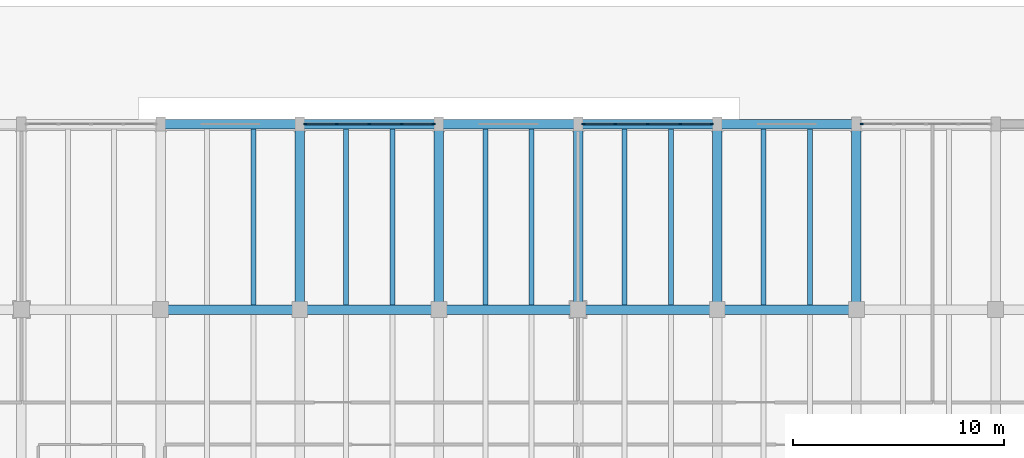
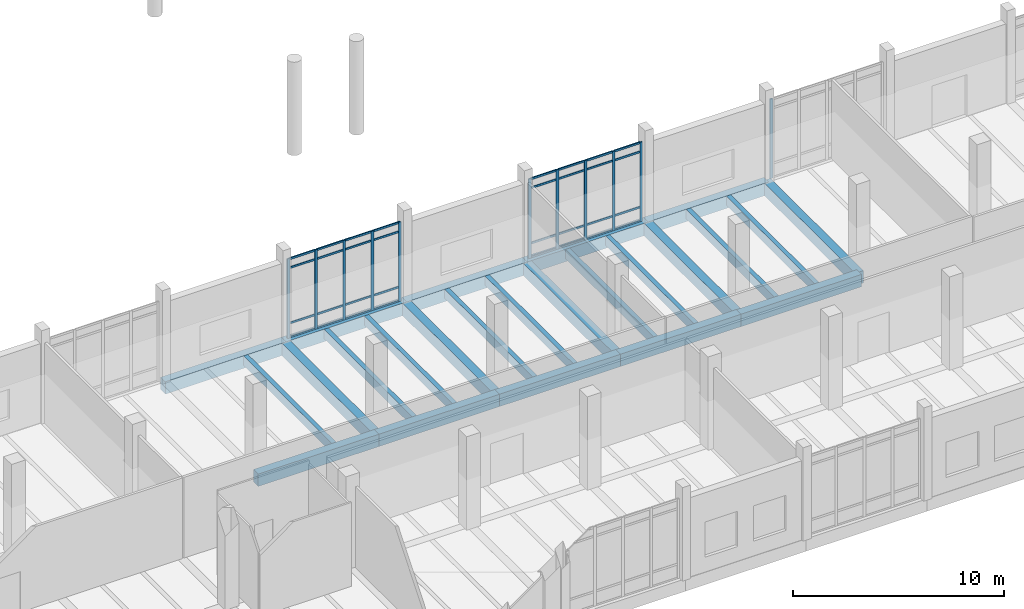
# One storey, part 24 of 72: 43 members, 24 beams, 3 elements without a shape of their own.
"""IFC4 building model written with IfcOpenShell, lengths in metres."""

from ifc_helpers import new_model, si_unit, direction, frame, origin, origin_2d, place, context, subcontext, project, spatial, rectangle, extrude, material, material_profile, profile_set, type_object, element, aggregate, save


model = new_model("IFC4")

# Units and contexts
model_context = context("Model", 3, precision=1e-05, world=origin(), true_north=direction((0.0, 1.0)))
body_context = subcontext(model_context, "Body", "Model", "MODEL_VIEW")
ifc_project = project(units=[si_unit("LENGTHUNIT", "METRE"), si_unit("AREAUNIT", "SQUARE_METRE"), si_unit("VOLUMEUNIT", "CUBIC_METRE"), si_unit("PLANEANGLEUNIT", "RADIAN"), si_unit("MASSUNIT", "GRAM", prefix="KILO")], contexts=[model_context])

# Site, building, storey
site_placement = place(None, origin())
site = spatial("IfcSite", under=ifc_project, at=site_placement, CompositionType="ELEMENT")
building_placement = place(site_placement, origin())
building = spatial("IfcBuilding", under=site, at=building_placement, Name="Dornvale Research Institute", CompositionType="ELEMENT")
storey_placement = place(building_placement, origin())
storey = spatial("IfcBuildingStorey", under=building, at=storey_placement, Name="L00", CompositionType="ELEMENT", Elevation=0.0)

# Beams
ifc_material_1 = material(Name="Concrete f'c 45 MPa (C35/45)", Category="concrete")
ifc_material_profile_1 = material_profile(ifc_material_1, rectangle(XDim=0.449951171875, YDim=0.715087890625, at=origin_2d()), Name="RC 450x715")
ifc_profile_set_1 = profile_set([ifc_material_profile_1], Name="Concrete f'c 45 MPa (C35/45)")
beam_type_1 = type_object("IfcBeamType", Name="Beam_RC450x715_Lab", PredefinedType="BEAM", material=ifc_profile_set_1)
for number, where, z_axis, x_axis, name in (
    (1, (125.39990234375, 17.60009765625, -0.357421875), (1.0, 0.0, 0.0), (0.0, 1.0, 0.0), "L00 primary girder #159"),
    (2, (132.0, 17.60009765625, -0.357421875), (1.0, 0.0, 0.0), (0.0, 1.0, 0.0), "L00 primary girder #160"),
):
    element("IfcBeam", number, at=place(storey_placement, frame(where, z_axis=z_axis, x_axis=x_axis)), inside=storey, type_object=beam_type_1, Name=name, PredefinedType="BEAM", context=body_context, shape_type="SweptSolid", body=[
        extrude(rectangle(XDim=0.449951171875, YDim=0.715087890625, at=origin_2d()), origin(), (0.0, 0.0, 1.0), 6.60009765625),
    ])
beam_1_placement = place(storey_placement, frame((138.60009765625, 17.60009765625, -0.357421875), z_axis=(1.0, 0.0, 0.0), x_axis=(0.0, 1.0, 0.0)))
element("IfcBeam", 3, at=beam_1_placement, inside=storey, type_object=beam_type_1, Name="L00 primary girder #161", PredefinedType="BEAM", context=body_context, shape_type="SweptSolid", body=[
    extrude(rectangle(XDim=0.449951171875, YDim=0.715087890625, at=origin_2d()), origin(), (0.0, 0.0, 1.0), 6.599853515625),
])
beam_2_placement = place(storey_placement, frame((145.199951171875, 17.60009765625, -0.357421875), z_axis=(1.0, 0.0, 0.0), x_axis=(0.0, 1.0, 0.0)))
element("IfcBeam", 4, at=beam_2_placement, inside=storey, type_object=beam_type_1, Name="L00 primary girder #162", PredefinedType="BEAM", context=body_context, shape_type="SweptSolid", body=[
    extrude(rectangle(XDim=0.449951171875, YDim=0.715087890625, at=origin_2d()), origin(), (0.0, 0.0, 1.0), 6.60009765625),
])
beam_3_placement = place(storey_placement, frame((151.800048828125, 17.60009765625, -0.357421875), z_axis=(1.0, 0.0, 0.0), x_axis=(0.0, 1.0, 0.0)))
element("IfcBeam", 5, at=beam_3_placement, inside=storey, type_object=beam_type_1, Name="L00 primary girder #163", PredefinedType="BEAM", context=body_context, shape_type="SweptSolid", body=[
    extrude(rectangle(XDim=0.449951171875, YDim=0.715087890625, at=origin_2d()), origin(), (0.0, 0.0, 1.0), 6.599853515625),
])
for number, where, z_axis, x_axis, name in (
    (6, (125.39990234375, 26.39990234375, -0.357421875), (1.0, 0.0, 0.0), (0.0, 1.0, 0.0), "L00 primary girder #171"),
    (7, (132.0, 26.39990234375, -0.357421875), (1.0, 0.0, 0.0), (0.0, 1.0, 0.0), "L00 primary girder #172"),
):
    element("IfcBeam", number, at=place(storey_placement, frame(where, z_axis=z_axis, x_axis=x_axis)), inside=storey, type_object=beam_type_1, Name=name, PredefinedType="BEAM", context=body_context, shape_type="SweptSolid", body=[
        extrude(rectangle(XDim=0.449951171875, YDim=0.715087890625, at=origin_2d()), origin(), (0.0, 0.0, 1.0), 6.60009765625),
    ])
beam_4_placement = place(storey_placement, frame((138.60009765625, 26.39990234375, -0.357421875), z_axis=(1.0, 0.0, 0.0), x_axis=(0.0, 1.0, 0.0)))
element("IfcBeam", 8, at=beam_4_placement, inside=storey, type_object=beam_type_1, Name="L00 primary girder #173", PredefinedType="BEAM", context=body_context, shape_type="SweptSolid", body=[
    extrude(rectangle(XDim=0.449951171875, YDim=0.715087890625, at=origin_2d()), origin(), (0.0, 0.0, 1.0), 6.599853515625),
])
beam_5_placement = place(storey_placement, frame((145.199951171875, 26.39990234375, -0.357421875), z_axis=(1.0, 0.0, 0.0), x_axis=(0.0, 1.0, 0.0)))
element("IfcBeam", 9, at=beam_5_placement, inside=storey, type_object=beam_type_1, Name="L00 primary girder #174", PredefinedType="BEAM", context=body_context, shape_type="SweptSolid", body=[
    extrude(rectangle(XDim=0.449951171875, YDim=0.715087890625, at=origin_2d()), origin(), (0.0, 0.0, 1.0), 6.60009765625),
])
beam_6_placement = place(storey_placement, frame((151.800048828125, 26.39990234375, -0.357421875), z_axis=(1.0, 0.0, 0.0), x_axis=(0.0, 1.0, 0.0)))
element("IfcBeam", 10, at=beam_6_placement, inside=storey, type_object=beam_type_1, Name="L00 primary girder #175", PredefinedType="BEAM", context=body_context, shape_type="SweptSolid", body=[
    extrude(rectangle(XDim=0.449951171875, YDim=0.715087890625, at=origin_2d()), origin(), (0.0, 0.0, 1.0), 6.599853515625),
])
for number, where, z_axis, x_axis, name in (
    (11, (132.0, 17.60009765625, -0.357421875), (0.0, 1.0, 0.0), (-1.0, 0.0, 0.0), "L00 transverse girder #195"),
    (12, (138.60009765625, 17.60009765625, -0.357421875), (0.0, 1.0, 0.0), (-1.0, 0.0, 0.0), "L00 transverse girder #198"),
    (13, (145.199951171875, 17.60009765625, -0.357421875), (0.0, 1.0, 0.0), (-1.0, 0.0, 0.0), "L00 transverse girder #201"),
    (14, (151.800048828125, 17.60009765625, -0.357421875), (0.0, 1.0, 0.0), (-1.0, 0.0, 0.0), "L00 transverse girder #204"),
    (15, (158.39990234375, 17.60009765625, -0.357421875), (0.0, 1.0, 0.0), (-1.0, 0.0, 0.0), "L00 transverse girder #207"),
):
    element("IfcBeam", number, at=place(storey_placement, frame(where, z_axis=z_axis, x_axis=x_axis)), inside=storey, type_object=beam_type_1, Name=name, PredefinedType="BEAM", context=body_context, shape_type="SweptSolid", body=[
        extrude(rectangle(XDim=0.449951171875, YDim=0.715087890625, at=origin_2d()), origin(), (0.0, 0.0, 1.0), 8.7998046875),
    ])
ifc_material_2 = material(Name="Concrete f'c 45 MPa (C35/45)", Category="concrete")
ifc_material_profile_2 = material_profile(ifc_material_2, rectangle(XDim=0.239990234375, YDim=0.534912109375, at=origin_2d()), Name="RC 240x535")
ifc_profile_set_2 = profile_set([ifc_material_profile_2], Name="Concrete f'c 45 MPa (C35/45)")
beam_type_2 = type_object("IfcBeamType", Name="Joist_RC240x535_Waffle", PredefinedType="JOIST", material=ifc_profile_set_2)
for number, where, z_axis, x_axis, name in (
    (16, (129.800048828125, 17.824951171875, -0.267578125), (0.0, 1.0, 0.0), (-1.0, 0.0, 0.0), "L00 laboratory waffle joist #100"),
    (17, (134.199951171875, 17.824951171875, -0.267578125), (0.0, 1.0, 0.0), (-1.0, 0.0, 0.0), "L00 laboratory waffle joist #105"),
    (18, (136.39990234375, 17.824951171875, -0.267578125), (0.0, 1.0, 0.0), (-1.0, 0.0, 0.0), "L00 laboratory waffle joist #106"),
    (19, (140.800048828125, 17.824951171875, -0.267578125), (0.0, 1.0, 0.0), (-1.0, 0.0, 0.0), "L00 laboratory waffle joist #111"),
    (20, (143.0, 17.824951171875, -0.267578125), (0.0, 1.0, 0.0), (-1.0, 0.0, 0.0), "L00 laboratory waffle joist #112"),
    (21, (147.39990234375, 17.824951171875, -0.267578125), (0.0, 1.0, 0.0), (-1.0, 0.0, 0.0), "L00 laboratory waffle joist #117"),
    (22, (149.60009765625, 17.824951171875, -0.267578125), (0.0, 1.0, 0.0), (-1.0, 0.0, 0.0), "L00 laboratory waffle joist #118"),
    (23, (154.0, 17.824951171875, -0.267578125), (0.0, 1.0, 0.0), (-1.0, 0.0, 0.0), "L00 laboratory waffle joist #123"),
    (24, (156.199951171875, 17.824951171875, -0.267578125), (0.0, 1.0, 0.0), (-1.0, 0.0, 0.0), "L00 laboratory waffle joist #124"),
):
    element("IfcBeam", number, at=place(storey_placement, frame(where, z_axis=z_axis, x_axis=x_axis)), inside=storey, type_object=beam_type_2, Name=name, PredefinedType="JOIST", context=body_context, shape_type="SweptSolid", body=[
        extrude(rectangle(XDim=0.239990234375, YDim=0.534912109375, at=origin_2d()), origin(), (0.0, 0.0, 1.0), 8.35009765625),
    ])

# Curtain wall, members
ifc_material_3 = material(Name="Low-E Argon Double Insulating Glazing Unit", Category="glass")
curtain_wall_type = type_object("IfcCurtainWallType", Name="UnitisedCurtainWall_V3_6150x4600", PredefinedType="USERDEFINED", material=ifc_material_3)
curtain_wall_1_placement = place(storey_placement, origin())
curtain_wall_1 = element("IfcCurtainWall", 25, at=curtain_wall_1_placement, inside=storey, type_object=curtain_wall_type, Name="L00 V3 unitised curtain wall CW-04 #21", ObjectType="UNITISED CURTAIN WALL", PredefinedType="USERDEFINED")
ifc_material_4 = material(Name="Anodized Aluminum AA 6063-T6 Thermally Broken Frame", Category="aluminium")
ifc_material_profile_3 = material_profile(ifc_material_4, rectangle(XDim=0.06494140625, YDim=0.14990234375, at=origin_2d()), Name="ALU MULLION 65x150")
ifc_profile_set_3 = profile_set([ifc_material_profile_3], Name="Anodized Aluminum AA 6063-T6 Thermally Broken Frame")
member_type_1 = type_object("IfcMemberType", Name="Mullion_CW_65x150", PredefinedType="MULLION", material=ifc_profile_set_3)
member_1_placement = place(storey_placement, frame((132.257568359375, 26.39990234375, 0.0), z_axis=(0.0, 0.0, 1.0), x_axis=(0.0, 1.0, 0.0)))
member_1 = element("IfcMember", 26, at=member_1_placement, type_object=member_type_1, Name="CW-04 mullion 1", PredefinedType="MULLION", context=body_context, shape_type="SweptSolid", body=[
    extrude(rectangle(XDim=0.06494140625, YDim=0.14990234375, at=origin_2d()), origin(), (0.0, 0.0, 1.0), 4.60009765625),
])
member_2_placement = place(storey_placement, frame((133.762451171875, 26.39990234375, 0.0), z_axis=(0.0, 0.0, 1.0), x_axis=(0.0, 1.0, 0.0)))
member_2 = element("IfcMember", 27, at=member_2_placement, type_object=member_type_1, Name="CW-04 mullion 2", PredefinedType="MULLION", context=body_context, shape_type="SweptSolid", body=[
    extrude(rectangle(XDim=0.06494140625, YDim=0.14990234375, at=origin_2d()), origin(), (0.0, 0.0, 1.0), 4.60009765625),
])
member_3_placement = place(storey_placement, frame((135.300048828125, 26.39990234375, 0.0), z_axis=(0.0, 0.0, 1.0), x_axis=(0.0, 1.0, 0.0)))
member_3 = element("IfcMember", 28, at=member_3_placement, type_object=member_type_1, Name="CW-04 mullion 3", PredefinedType="MULLION", context=body_context, shape_type="SweptSolid", body=[
    extrude(rectangle(XDim=0.06494140625, YDim=0.14990234375, at=origin_2d()), origin(), (0.0, 0.0, 1.0), 4.60009765625),
])
member_4_placement = place(storey_placement, frame((136.83740234375, 26.39990234375, 0.0), z_axis=(0.0, 0.0, 1.0), x_axis=(0.0, 1.0, 0.0)))
member_4 = element("IfcMember", 29, at=member_4_placement, type_object=member_type_1, Name="CW-04 mullion 4", PredefinedType="MULLION", context=body_context, shape_type="SweptSolid", body=[
    extrude(rectangle(XDim=0.06494140625, YDim=0.14990234375, at=origin_2d()), origin(), (0.0, 0.0, 1.0), 4.60009765625),
])
member_5_placement = place(storey_placement, frame((138.342529296875, 26.39990234375, 0.0), z_axis=(0.0, 0.0, 1.0), x_axis=(0.0, 1.0, 0.0)))
member_5 = element("IfcMember", 30, at=member_5_placement, type_object=member_type_1, Name="CW-04 mullion 5", PredefinedType="MULLION", context=body_context, shape_type="SweptSolid", body=[
    extrude(rectangle(XDim=0.06494140625, YDim=0.14990234375, at=origin_2d()), origin(), (0.0, 0.0, 1.0), 4.60009765625),
])

curtain_wall_2_placement = place(storey_placement, origin())
curtain_wall_2 = element("IfcCurtainWall", 31, at=curtain_wall_2_placement, inside=storey, type_object=curtain_wall_type, Name="L00 V3 unitised curtain wall CW-04 #22", ObjectType="UNITISED CURTAIN WALL", PredefinedType="USERDEFINED")
member_6_placement = place(storey_placement, frame((145.45751953125, 26.39990234375, 0.0), z_axis=(0.0, 0.0, 1.0), x_axis=(0.0, 1.0, 0.0)))
member_6 = element("IfcMember", 32, at=member_6_placement, type_object=member_type_1, Name="CW-04 mullion 1", PredefinedType="MULLION", context=body_context, shape_type="SweptSolid", body=[
    extrude(rectangle(XDim=0.06494140625, YDim=0.14990234375, at=origin_2d()), origin(), (0.0, 0.0, 1.0), 4.60009765625),
])
member_7_placement = place(storey_placement, frame((146.96240234375, 26.39990234375, 0.0), z_axis=(0.0, 0.0, 1.0), x_axis=(0.0, 1.0, 0.0)))
member_7 = element("IfcMember", 33, at=member_7_placement, type_object=member_type_1, Name="CW-04 mullion 2", PredefinedType="MULLION", context=body_context, shape_type="SweptSolid", body=[
    extrude(rectangle(XDim=0.06494140625, YDim=0.14990234375, at=origin_2d()), origin(), (0.0, 0.0, 1.0), 4.60009765625),
])
member_8_placement = place(storey_placement, frame((148.5, 26.39990234375, 0.0), z_axis=(0.0, 0.0, 1.0), x_axis=(0.0, 1.0, 0.0)))
member_8 = element("IfcMember", 34, at=member_8_placement, type_object=member_type_1, Name="CW-04 mullion 3", PredefinedType="MULLION", context=body_context, shape_type="SweptSolid", body=[
    extrude(rectangle(XDim=0.06494140625, YDim=0.14990234375, at=origin_2d()), origin(), (0.0, 0.0, 1.0), 4.60009765625),
])
member_9_placement = place(storey_placement, frame((150.03759765625, 26.39990234375, 0.0), z_axis=(0.0, 0.0, 1.0), x_axis=(0.0, 1.0, 0.0)))
member_9 = element("IfcMember", 35, at=member_9_placement, type_object=member_type_1, Name="CW-04 mullion 4", PredefinedType="MULLION", context=body_context, shape_type="SweptSolid", body=[
    extrude(rectangle(XDim=0.06494140625, YDim=0.14990234375, at=origin_2d()), origin(), (0.0, 0.0, 1.0), 4.60009765625),
])
member_10_placement = place(storey_placement, frame((151.54248046875, 26.39990234375, 0.0), z_axis=(0.0, 0.0, 1.0), x_axis=(0.0, 1.0, 0.0)))
member_10 = element("IfcMember", 36, at=member_10_placement, type_object=member_type_1, Name="CW-04 mullion 5", PredefinedType="MULLION", context=body_context, shape_type="SweptSolid", body=[
    extrude(rectangle(XDim=0.06494140625, YDim=0.14990234375, at=origin_2d()), origin(), (0.0, 0.0, 1.0), 4.60009765625),
])

# Curtain wall, member
curtain_wall_3_placement = place(storey_placement, origin())
curtain_wall_3 = element("IfcCurtainWall", 37, at=curtain_wall_3_placement, inside=storey, type_object=curtain_wall_type, Name="L00 V3 unitised curtain wall CW-04 #23", ObjectType="UNITISED CURTAIN WALL", PredefinedType="USERDEFINED")
member_11_placement = place(storey_placement, frame((158.657470703125, 26.39990234375, 0.0), z_axis=(0.0, 0.0, 1.0), x_axis=(0.0, 1.0, 0.0)))
member_11 = element("IfcMember", 38, at=member_11_placement, type_object=member_type_1, Name="CW-04 mullion 1", PredefinedType="MULLION", context=body_context, shape_type="SweptSolid", body=[
    extrude(rectangle(XDim=0.06494140625, YDim=0.14990234375, at=origin_2d()), origin(), (0.0, 0.0, 1.0), 4.60009765625),
])
aggregate(curtain_wall_3, [member_11])

# Member
ifc_material_5 = material(Name="Anodized Aluminum AA 6063-T6 Thermally Broken Frame", Category="aluminium")
ifc_material_profile_4 = material_profile(ifc_material_5, rectangle(XDim=0.06494140625, YDim=0.110107421875, at=origin_2d()), Name="ALU TRANSOM 65x110")
ifc_profile_set_4 = profile_set([ifc_material_profile_4], Name="Anodized Aluminum AA 6063-T6 Thermally Broken Frame")
member_type_2 = type_object("IfcMemberType", Name="Transom_CW_65x110", PredefinedType="USERDEFINED", material=ifc_profile_set_4)
member_12_placement = place(storey_placement, frame((132.2900390625, 26.39990234375, 0.032470703125), z_axis=(1.0, 0.0, 0.0), x_axis=(0.0, 1.0, 0.0)))
member_12 = element("IfcMember", 39, at=member_12_placement, type_object=member_type_2, Name="CW-04 transom 1.1", ObjectType="TRANSOM", PredefinedType="USERDEFINED", context=body_context, shape_type="SweptSolid", body=[
    extrude(rectangle(XDim=0.06494140625, YDim=0.110107421875, at=origin_2d()), origin(), (0.0, 0.0, 1.0), 1.43994140625),
])

member_13_placement = place(storey_placement, frame((132.2900390625, 26.39990234375, 0.85009765625), z_axis=(1.0, 0.0, 0.0), x_axis=(0.0, 1.0, 0.0)))
member_13 = element("IfcMember", 40, at=member_13_placement, type_object=member_type_2, Name="CW-04 transom 1.2", ObjectType="TRANSOM", PredefinedType="USERDEFINED", context=body_context, shape_type="SweptSolid", body=[
    extrude(rectangle(XDim=0.06494140625, YDim=0.110107421875, at=origin_2d()), origin(), (0.0, 0.0, 1.0), 1.43994140625),
])

member_14_placement = place(storey_placement, frame((132.2900390625, 26.39990234375, 4.050048828125), z_axis=(1.0, 0.0, 0.0), x_axis=(0.0, 1.0, 0.0)))
member_14 = element("IfcMember", 41, at=member_14_placement, type_object=member_type_2, Name="CW-04 transom 1.3", ObjectType="TRANSOM", PredefinedType="USERDEFINED", context=body_context, shape_type="SweptSolid", body=[
    extrude(rectangle(XDim=0.06494140625, YDim=0.110107421875, at=origin_2d()), origin(), (0.0, 0.0, 1.0), 1.43994140625),
])

member_15_placement = place(storey_placement, frame((132.2900390625, 26.39990234375, 4.5673828125), z_axis=(1.0, 0.0, 0.0), x_axis=(0.0, 1.0, 0.0)))
member_15 = element("IfcMember", 42, at=member_15_placement, type_object=member_type_2, Name="CW-04 transom 1.4", ObjectType="TRANSOM", PredefinedType="USERDEFINED", context=body_context, shape_type="SweptSolid", body=[
    extrude(rectangle(XDim=0.06494140625, YDim=0.110107421875, at=origin_2d()), origin(), (0.0, 0.0, 1.0), 1.43994140625),
])

member_16_placement = place(storey_placement, frame((133.794921875, 26.39990234375, 0.032470703125), z_axis=(1.0, 0.0, 0.0), x_axis=(0.0, 1.0, 0.0)))
member_16 = element("IfcMember", 43, at=member_16_placement, type_object=member_type_2, Name="CW-04 transom 2.1", ObjectType="TRANSOM", PredefinedType="USERDEFINED", context=body_context, shape_type="SweptSolid", body=[
    extrude(rectangle(XDim=0.06494140625, YDim=0.110107421875, at=origin_2d()), origin(), (0.0, 0.0, 1.0), 1.47265625),
])

member_17_placement = place(storey_placement, frame((133.794921875, 26.39990234375, 0.85009765625), z_axis=(1.0, 0.0, 0.0), x_axis=(0.0, 1.0, 0.0)))
member_17 = element("IfcMember", 44, at=member_17_placement, type_object=member_type_2, Name="CW-04 transom 2.2", ObjectType="TRANSOM", PredefinedType="USERDEFINED", context=body_context, shape_type="SweptSolid", body=[
    extrude(rectangle(XDim=0.06494140625, YDim=0.110107421875, at=origin_2d()), origin(), (0.0, 0.0, 1.0), 1.47265625),
])

member_18_placement = place(storey_placement, frame((133.794921875, 26.39990234375, 4.050048828125), z_axis=(1.0, 0.0, 0.0), x_axis=(0.0, 1.0, 0.0)))
member_18 = element("IfcMember", 45, at=member_18_placement, type_object=member_type_2, Name="CW-04 transom 2.3", ObjectType="TRANSOM", PredefinedType="USERDEFINED", context=body_context, shape_type="SweptSolid", body=[
    extrude(rectangle(XDim=0.06494140625, YDim=0.110107421875, at=origin_2d()), origin(), (0.0, 0.0, 1.0), 1.47265625),
])

member_19_placement = place(storey_placement, frame((133.794921875, 26.39990234375, 4.5673828125), z_axis=(1.0, 0.0, 0.0), x_axis=(0.0, 1.0, 0.0)))
member_19 = element("IfcMember", 46, at=member_19_placement, type_object=member_type_2, Name="CW-04 transom 2.4", ObjectType="TRANSOM", PredefinedType="USERDEFINED", context=body_context, shape_type="SweptSolid", body=[
    extrude(rectangle(XDim=0.06494140625, YDim=0.110107421875, at=origin_2d()), origin(), (0.0, 0.0, 1.0), 1.47265625),
])

member_20_placement = place(storey_placement, frame((135.33251953125, 26.39990234375, 0.032470703125), z_axis=(1.0, 0.0, 0.0), x_axis=(0.0, 1.0, 0.0)))
member_20 = element("IfcMember", 47, at=member_20_placement, type_object=member_type_2, Name="CW-04 transom 3.1", ObjectType="TRANSOM", PredefinedType="USERDEFINED", context=body_context, shape_type="SweptSolid", body=[
    extrude(rectangle(XDim=0.06494140625, YDim=0.110107421875, at=origin_2d()), origin(), (0.0, 0.0, 1.0), 1.472412109375),
])

member_21_placement = place(storey_placement, frame((135.33251953125, 26.39990234375, 0.85009765625), z_axis=(1.0, 0.0, 0.0), x_axis=(0.0, 1.0, 0.0)))
member_21 = element("IfcMember", 48, at=member_21_placement, type_object=member_type_2, Name="CW-04 transom 3.2", ObjectType="TRANSOM", PredefinedType="USERDEFINED", context=body_context, shape_type="SweptSolid", body=[
    extrude(rectangle(XDim=0.06494140625, YDim=0.110107421875, at=origin_2d()), origin(), (0.0, 0.0, 1.0), 1.472412109375),
])

member_22_placement = place(storey_placement, frame((135.33251953125, 26.39990234375, 4.050048828125), z_axis=(1.0, 0.0, 0.0), x_axis=(0.0, 1.0, 0.0)))
member_22 = element("IfcMember", 49, at=member_22_placement, type_object=member_type_2, Name="CW-04 transom 3.3", ObjectType="TRANSOM", PredefinedType="USERDEFINED", context=body_context, shape_type="SweptSolid", body=[
    extrude(rectangle(XDim=0.06494140625, YDim=0.110107421875, at=origin_2d()), origin(), (0.0, 0.0, 1.0), 1.472412109375),
])

member_23_placement = place(storey_placement, frame((135.33251953125, 26.39990234375, 4.5673828125), z_axis=(1.0, 0.0, 0.0), x_axis=(0.0, 1.0, 0.0)))
member_23 = element("IfcMember", 50, at=member_23_placement, type_object=member_type_2, Name="CW-04 transom 3.4", ObjectType="TRANSOM", PredefinedType="USERDEFINED", context=body_context, shape_type="SweptSolid", body=[
    extrude(rectangle(XDim=0.06494140625, YDim=0.110107421875, at=origin_2d()), origin(), (0.0, 0.0, 1.0), 1.472412109375),
])

member_24_placement = place(storey_placement, frame((136.8701171875, 26.39990234375, 0.032470703125), z_axis=(1.0, 0.0, 0.0), x_axis=(0.0, 1.0, 0.0)))
member_24 = element("IfcMember", 51, at=member_24_placement, type_object=member_type_2, Name="CW-04 transom 4.1", ObjectType="TRANSOM", PredefinedType="USERDEFINED", context=body_context, shape_type="SweptSolid", body=[
    extrude(rectangle(XDim=0.06494140625, YDim=0.110107421875, at=origin_2d()), origin(), (0.0, 0.0, 1.0), 1.43994140625),
])

member_25_placement = place(storey_placement, frame((136.8701171875, 26.39990234375, 0.85009765625), z_axis=(1.0, 0.0, 0.0), x_axis=(0.0, 1.0, 0.0)))
member_25 = element("IfcMember", 52, at=member_25_placement, type_object=member_type_2, Name="CW-04 transom 4.2", ObjectType="TRANSOM", PredefinedType="USERDEFINED", context=body_context, shape_type="SweptSolid", body=[
    extrude(rectangle(XDim=0.06494140625, YDim=0.110107421875, at=origin_2d()), origin(), (0.0, 0.0, 1.0), 1.43994140625),
])

member_26_placement = place(storey_placement, frame((136.8701171875, 26.39990234375, 4.050048828125), z_axis=(1.0, 0.0, 0.0), x_axis=(0.0, 1.0, 0.0)))
member_26 = element("IfcMember", 53, at=member_26_placement, type_object=member_type_2, Name="CW-04 transom 4.3", ObjectType="TRANSOM", PredefinedType="USERDEFINED", context=body_context, shape_type="SweptSolid", body=[
    extrude(rectangle(XDim=0.06494140625, YDim=0.110107421875, at=origin_2d()), origin(), (0.0, 0.0, 1.0), 1.43994140625),
])

member_27_placement = place(storey_placement, frame((136.8701171875, 26.39990234375, 4.5673828125), z_axis=(1.0, 0.0, 0.0), x_axis=(0.0, 1.0, 0.0)))
member_27 = element("IfcMember", 54, at=member_27_placement, type_object=member_type_2, Name="CW-04 transom 4.4", ObjectType="TRANSOM", PredefinedType="USERDEFINED", context=body_context, shape_type="SweptSolid", body=[
    extrude(rectangle(XDim=0.06494140625, YDim=0.110107421875, at=origin_2d()), origin(), (0.0, 0.0, 1.0), 1.43994140625),
])

aggregate(curtain_wall_1, [member_1, member_2, member_3, member_4, member_5, member_12, member_13, member_14, member_15, member_16, member_17, member_18, member_19, member_20, member_21, member_22, member_23, member_24, member_25, member_26, member_27])

member_28_placement = place(storey_placement, frame((145.489990234375, 26.39990234375, 0.032470703125), z_axis=(1.0, 0.0, 0.0), x_axis=(0.0, 1.0, 0.0)))
member_28 = element("IfcMember", 55, at=member_28_placement, type_object=member_type_2, Name="CW-04 transom 1.1", ObjectType="TRANSOM", PredefinedType="USERDEFINED", context=body_context, shape_type="SweptSolid", body=[
    extrude(rectangle(XDim=0.06494140625, YDim=0.110107421875, at=origin_2d()), origin(), (0.0, 0.0, 1.0), 1.43994140625),
])

member_29_placement = place(storey_placement, frame((145.489990234375, 26.39990234375, 0.85009765625), z_axis=(1.0, 0.0, 0.0), x_axis=(0.0, 1.0, 0.0)))
member_29 = element("IfcMember", 56, at=member_29_placement, type_object=member_type_2, Name="CW-04 transom 1.2", ObjectType="TRANSOM", PredefinedType="USERDEFINED", context=body_context, shape_type="SweptSolid", body=[
    extrude(rectangle(XDim=0.06494140625, YDim=0.110107421875, at=origin_2d()), origin(), (0.0, 0.0, 1.0), 1.43994140625),
])

member_30_placement = place(storey_placement, frame((145.489990234375, 26.39990234375, 4.050048828125), z_axis=(1.0, 0.0, 0.0), x_axis=(0.0, 1.0, 0.0)))
member_30 = element("IfcMember", 57, at=member_30_placement, type_object=member_type_2, Name="CW-04 transom 1.3", ObjectType="TRANSOM", PredefinedType="USERDEFINED", context=body_context, shape_type="SweptSolid", body=[
    extrude(rectangle(XDim=0.06494140625, YDim=0.110107421875, at=origin_2d()), origin(), (0.0, 0.0, 1.0), 1.43994140625),
])

member_31_placement = place(storey_placement, frame((145.489990234375, 26.39990234375, 4.5673828125), z_axis=(1.0, 0.0, 0.0), x_axis=(0.0, 1.0, 0.0)))
member_31 = element("IfcMember", 58, at=member_31_placement, type_object=member_type_2, Name="CW-04 transom 1.4", ObjectType="TRANSOM", PredefinedType="USERDEFINED", context=body_context, shape_type="SweptSolid", body=[
    extrude(rectangle(XDim=0.06494140625, YDim=0.110107421875, at=origin_2d()), origin(), (0.0, 0.0, 1.0), 1.43994140625),
])

member_32_placement = place(storey_placement, frame((146.9951171875, 26.39990234375, 0.032470703125), z_axis=(1.0, 0.0, 0.0), x_axis=(0.0, 1.0, 0.0)))
member_32 = element("IfcMember", 59, at=member_32_placement, type_object=member_type_2, Name="CW-04 transom 2.1", ObjectType="TRANSOM", PredefinedType="USERDEFINED", context=body_context, shape_type="SweptSolid", body=[
    extrude(rectangle(XDim=0.06494140625, YDim=0.110107421875, at=origin_2d()), origin(), (0.0, 0.0, 1.0), 1.472412109375),
])

member_33_placement = place(storey_placement, frame((146.9951171875, 26.39990234375, 0.85009765625), z_axis=(1.0, 0.0, 0.0), x_axis=(0.0, 1.0, 0.0)))
member_33 = element("IfcMember", 60, at=member_33_placement, type_object=member_type_2, Name="CW-04 transom 2.2", ObjectType="TRANSOM", PredefinedType="USERDEFINED", context=body_context, shape_type="SweptSolid", body=[
    extrude(rectangle(XDim=0.06494140625, YDim=0.110107421875, at=origin_2d()), origin(), (0.0, 0.0, 1.0), 1.472412109375),
])

member_34_placement = place(storey_placement, frame((146.9951171875, 26.39990234375, 4.050048828125), z_axis=(1.0, 0.0, 0.0), x_axis=(0.0, 1.0, 0.0)))
member_34 = element("IfcMember", 61, at=member_34_placement, type_object=member_type_2, Name="CW-04 transom 2.3", ObjectType="TRANSOM", PredefinedType="USERDEFINED", context=body_context, shape_type="SweptSolid", body=[
    extrude(rectangle(XDim=0.06494140625, YDim=0.110107421875, at=origin_2d()), origin(), (0.0, 0.0, 1.0), 1.472412109375),
])

member_35_placement = place(storey_placement, frame((146.9951171875, 26.39990234375, 4.5673828125), z_axis=(1.0, 0.0, 0.0), x_axis=(0.0, 1.0, 0.0)))
member_35 = element("IfcMember", 62, at=member_35_placement, type_object=member_type_2, Name="CW-04 transom 2.4", ObjectType="TRANSOM", PredefinedType="USERDEFINED", context=body_context, shape_type="SweptSolid", body=[
    extrude(rectangle(XDim=0.06494140625, YDim=0.110107421875, at=origin_2d()), origin(), (0.0, 0.0, 1.0), 1.472412109375),
])

member_36_placement = place(storey_placement, frame((148.532470703125, 26.39990234375, 0.032470703125), z_axis=(1.0, 0.0, 0.0), x_axis=(0.0, 1.0, 0.0)))
member_36 = element("IfcMember", 63, at=member_36_placement, type_object=member_type_2, Name="CW-04 transom 3.1", ObjectType="TRANSOM", PredefinedType="USERDEFINED", context=body_context, shape_type="SweptSolid", body=[
    extrude(rectangle(XDim=0.06494140625, YDim=0.110107421875, at=origin_2d()), origin(), (0.0, 0.0, 1.0), 1.472412109375),
])

member_37_placement = place(storey_placement, frame((148.532470703125, 26.39990234375, 0.85009765625), z_axis=(1.0, 0.0, 0.0), x_axis=(0.0, 1.0, 0.0)))
member_37 = element("IfcMember", 64, at=member_37_placement, type_object=member_type_2, Name="CW-04 transom 3.2", ObjectType="TRANSOM", PredefinedType="USERDEFINED", context=body_context, shape_type="SweptSolid", body=[
    extrude(rectangle(XDim=0.06494140625, YDim=0.110107421875, at=origin_2d()), origin(), (0.0, 0.0, 1.0), 1.472412109375),
])

member_38_placement = place(storey_placement, frame((148.532470703125, 26.39990234375, 4.050048828125), z_axis=(1.0, 0.0, 0.0), x_axis=(0.0, 1.0, 0.0)))
member_38 = element("IfcMember", 65, at=member_38_placement, type_object=member_type_2, Name="CW-04 transom 3.3", ObjectType="TRANSOM", PredefinedType="USERDEFINED", context=body_context, shape_type="SweptSolid", body=[
    extrude(rectangle(XDim=0.06494140625, YDim=0.110107421875, at=origin_2d()), origin(), (0.0, 0.0, 1.0), 1.472412109375),
])

member_39_placement = place(storey_placement, frame((148.532470703125, 26.39990234375, 4.5673828125), z_axis=(1.0, 0.0, 0.0), x_axis=(0.0, 1.0, 0.0)))
member_39 = element("IfcMember", 66, at=member_39_placement, type_object=member_type_2, Name="CW-04 transom 3.4", ObjectType="TRANSOM", PredefinedType="USERDEFINED", context=body_context, shape_type="SweptSolid", body=[
    extrude(rectangle(XDim=0.06494140625, YDim=0.110107421875, at=origin_2d()), origin(), (0.0, 0.0, 1.0), 1.472412109375),
])

member_40_placement = place(storey_placement, frame((150.070068359375, 26.39990234375, 0.032470703125), z_axis=(1.0, 0.0, 0.0), x_axis=(0.0, 1.0, 0.0)))
member_40 = element("IfcMember", 67, at=member_40_placement, type_object=member_type_2, Name="CW-04 transom 4.1", ObjectType="TRANSOM", PredefinedType="USERDEFINED", context=body_context, shape_type="SweptSolid", body=[
    extrude(rectangle(XDim=0.06494140625, YDim=0.110107421875, at=origin_2d()), origin(), (0.0, 0.0, 1.0), 1.43994140625),
])

member_41_placement = place(storey_placement, frame((150.070068359375, 26.39990234375, 0.85009765625), z_axis=(1.0, 0.0, 0.0), x_axis=(0.0, 1.0, 0.0)))
member_41 = element("IfcMember", 68, at=member_41_placement, type_object=member_type_2, Name="CW-04 transom 4.2", ObjectType="TRANSOM", PredefinedType="USERDEFINED", context=body_context, shape_type="SweptSolid", body=[
    extrude(rectangle(XDim=0.06494140625, YDim=0.110107421875, at=origin_2d()), origin(), (0.0, 0.0, 1.0), 1.43994140625),
])

member_42_placement = place(storey_placement, frame((150.070068359375, 26.39990234375, 4.050048828125), z_axis=(1.0, 0.0, 0.0), x_axis=(0.0, 1.0, 0.0)))
member_42 = element("IfcMember", 69, at=member_42_placement, type_object=member_type_2, Name="CW-04 transom 4.3", ObjectType="TRANSOM", PredefinedType="USERDEFINED", context=body_context, shape_type="SweptSolid", body=[
    extrude(rectangle(XDim=0.06494140625, YDim=0.110107421875, at=origin_2d()), origin(), (0.0, 0.0, 1.0), 1.43994140625),
])

member_43_placement = place(storey_placement, frame((150.070068359375, 26.39990234375, 4.5673828125), z_axis=(1.0, 0.0, 0.0), x_axis=(0.0, 1.0, 0.0)))
member_43 = element("IfcMember", 70, at=member_43_placement, type_object=member_type_2, Name="CW-04 transom 4.4", ObjectType="TRANSOM", PredefinedType="USERDEFINED", context=body_context, shape_type="SweptSolid", body=[
    extrude(rectangle(XDim=0.06494140625, YDim=0.110107421875, at=origin_2d()), origin(), (0.0, 0.0, 1.0), 1.43994140625),
])

aggregate(curtain_wall_2, [member_6, member_7, member_8, member_9, member_10, member_28, member_29, member_30, member_31, member_32, member_33, member_34, member_35, member_36, member_37, member_38, member_39, member_40, member_41, member_42, member_43])

save(model, "model.ifc")
